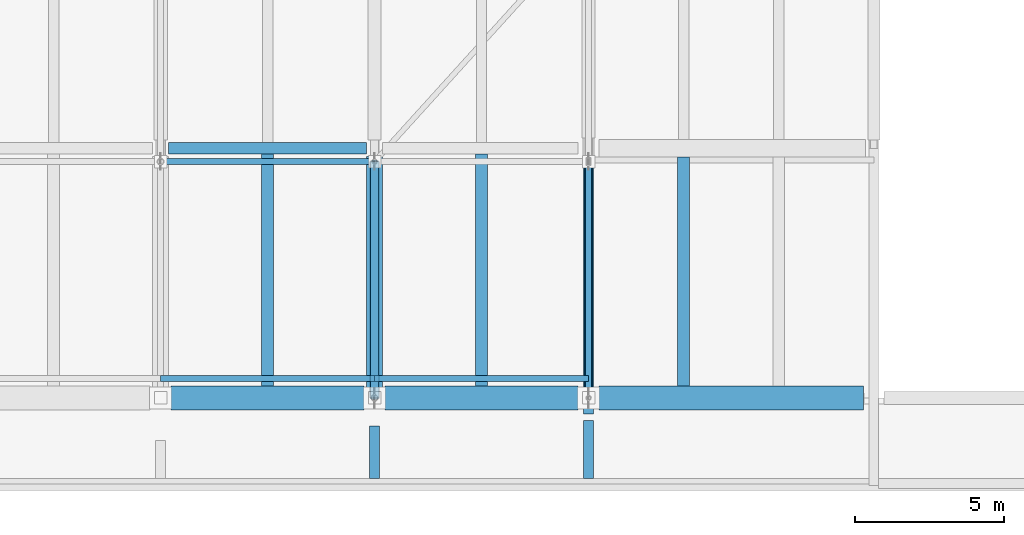
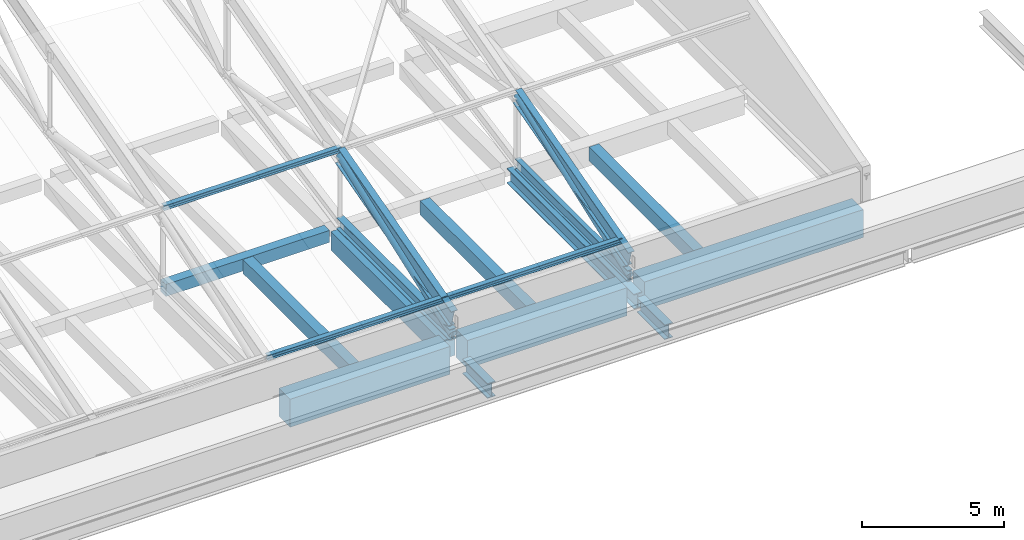
# One storey, part 9 of 53: 15 beams, 5 members.
"""IFC4 building model written with IfcOpenShell, lengths in metres."""

from ifc_helpers import new_model, si_unit, direction, frame, origin, origin_2d, place, context, subcontext, project, spatial, rectangle, hollow_circle, i_section, extrude, material, material_profile, profile_set, type_object, element, save


model = new_model("IFC4")

# Units and contexts
model_context = context("Model", 3, precision=1e-05, world=origin(), true_north=direction((0.0, 1.0)))
body_context = subcontext(model_context, "Body", "Model", "MODEL_VIEW")
ifc_project = project(units=[si_unit("LENGTHUNIT", "METRE"), si_unit("AREAUNIT", "SQUARE_METRE"), si_unit("VOLUMEUNIT", "CUBIC_METRE"), si_unit("PLANEANGLEUNIT", "RADIAN"), si_unit("MASSUNIT", "GRAM", prefix="KILO")], contexts=[model_context])

# Site, building, storey
site_placement = place(None, origin())
site = spatial("IfcSite", under=ifc_project, at=site_placement, CompositionType="ELEMENT")
building_placement = place(site_placement, origin())
building = spatial("IfcBuilding", under=site, at=building_placement, Name="Pellamere Symphony Hall", CompositionType="ELEMENT")
storey_placement = place(building_placement, frame((0.0, 0.0, 24.0)))
storey = spatial("IfcBuildingStorey", under=building, at=storey_placement, Name="L05", CompositionType="ELEMENT", Elevation=24.0)

# Beams
ifc_material_1 = material(Name="Concrete 50 MPa", Category="concrete")
ifc_material_profile_1 = material_profile(ifc_material_1, rectangle(XDim=0.800048828125, YDim=1.199951171875, at=origin_2d()), Name="RC 800x1200")
ifc_profile_set_1 = profile_set([ifc_material_profile_1], Name="Concrete 50 MPa")
beam_type_1 = type_object("IfcBeamType", Name="RC CB-01 800x1200", PredefinedType="BEAM", material=ifc_profile_set_1)
for number, where, z_axis, x_axis, name in (
    (1, (95.14990234375, 30.0, -0.60009765625), (1.0, 0.0, 0.0), (0.0, 1.0, 0.0), "Girder CB-01-X2001 (L05)"),
    (2, (102.35009765625, 30.0, -0.60009765625), (1.0, 0.0, 0.0), (0.0, 1.0, 0.0), "Girder CB-01-X2002 (L05)"),
):
    element("IfcBeam", number, at=place(storey_placement, frame(where, z_axis=z_axis, x_axis=x_axis)), inside=storey, type_object=beam_type_1, Name=name, PredefinedType="BEAM", context=body_context, shape_type="SweptSolid", body=[
        extrude(rectangle(XDim=0.800048828125, YDim=1.199951171875, at=origin_2d()), origin(), (0.0, 0.0, 1.0), 6.5),
    ])
beam_1_placement = place(storey_placement, frame((109.550048828125, 30.0, -0.60009765625), z_axis=(1.0, 0.0, 0.0), x_axis=(0.0, 1.0, 0.0)))
element("IfcBeam", 3, at=beam_1_placement, inside=storey, type_object=beam_type_1, Name="Girder CB-01-X2003 (L05)", PredefinedType="BEAM", context=body_context, shape_type="SweptSolid", body=[
    extrude(rectangle(XDim=0.800048828125, YDim=1.199951171875, at=origin_2d()), origin(), (0.0, 0.0, 1.0), 8.89990234375),
])
ifc_material_2 = material(Name="Concrete 40 MPa", Category="concrete")
ifc_material_profile_2 = material_profile(ifc_material_2, rectangle(XDim=0.550048828125, YDim=0.800048828125, at=origin_2d()), Name="RC 550x800")
ifc_profile_set_2 = profile_set([ifc_material_profile_2], Name="Concrete 40 MPa")
beam_type_2 = type_object("IfcBeamType", Name="RC CB-05 550x800", PredefinedType="BEAM", material=ifc_profile_set_2)
beam_2_placement = place(storey_placement, frame((102.0, 30.35009765625, -0.659912109375), z_axis=(0.0, 1.0, 0.0), x_axis=(-1.0, 0.0, 0.0)))
element("IfcBeam", 4, at=beam_2_placement, inside=storey, type_object=beam_type_2, Name="Girder CB-05-Y2096 (L05)", PredefinedType="BEAM", context=body_context, shape_type="SweptSolid", body=[
    extrude(rectangle(XDim=0.550048828125, YDim=0.800048828125, at=origin_2d()), origin(), (0.0, 0.0, 1.0), 7.77490234375),
])
ifc_material_profile_3 = material_profile(ifc_material_2, rectangle(XDim=0.39990234375, YDim=0.60009765625, at=origin_2d()), Name="RC 400x600")
ifc_profile_set_3 = profile_set([ifc_material_profile_3], Name="Concrete 40 MPa")
beam_type_3 = type_object("IfcBeamType", Name="RC CB-09 400x600", PredefinedType="BEAM", material=ifc_profile_set_3)
for number, where, z_axis, x_axis, name in (
    (5, (98.39990234375, 30.39990234375, -0.574951171875), (0.0, 1.0, 0.0), (-1.0, 0.0, 0.0), "Secondary Floor Beam CB-09-M1204 (L05)"),
    (6, (105.60009765625, 30.39990234375, -0.574951171875), (0.0, 1.0, 0.0), (-1.0, 0.0, 0.0), "Secondary Floor Beam CB-09-M1304 (L05)"),
):
    element("IfcBeam", number, at=place(storey_placement, frame(where, z_axis=z_axis, x_axis=x_axis)), inside=storey, type_object=beam_type_3, Name=name, PredefinedType="BEAM", context=body_context, shape_type="SweptSolid", body=[
        extrude(rectangle(XDim=0.39990234375, YDim=0.60009765625, at=origin_2d()), origin(), (0.0, 0.0, 1.0), 7.81005859375),
    ])
beam_3_placement = place(storey_placement, frame((112.39990234375, 30.39990234375, -0.574951171875), z_axis=(0.0, 1.0, 0.0), x_axis=(-1.0, 0.0, 0.0)))
element("IfcBeam", 7, at=beam_3_placement, inside=storey, type_object=beam_type_3, Name="Secondary Floor Beam CB-09-A1404 (L05)", PredefinedType="BEAM", context=body_context, shape_type="SweptSolid", body=[
    extrude(rectangle(XDim=0.39990234375, YDim=0.60009765625, at=origin_2d()), origin(), (0.0, 0.0, 1.0), 7.7001953125),
])
ifc_material_profile_4 = material_profile(ifc_material_2, rectangle(XDim=0.3798828125, YDim=0.52001953125, at=origin_2d()), Name="RC 380x520")
ifc_profile_set_4 = profile_set([ifc_material_profile_4], Name="Concrete 40 MPa")
beam_type_4 = type_object("IfcBeamType", Name="RC CB-21 380x520", PredefinedType="BEAM", material=ifc_profile_set_4)
beam_4_placement = place(storey_placement, frame((95.074951171875, 38.39990234375, -0.52001953125), z_axis=(1.0, 0.0, 0.0), x_axis=(0.0, 1.0, 0.0)))
element("IfcBeam", 8, at=beam_4_placement, inside=storey, type_object=beam_type_4, Name="Girder CB-21-X2016 (L05)", PredefinedType="BEAM", context=body_context, shape_type="SweptSolid", body=[
    extrude(rectangle(XDim=0.3798828125, YDim=0.52001953125, at=origin_2d()), origin(), (0.0, 0.0, 1.0), 6.650146484375),
])
ifc_material_3 = material(Name="Steel CSA G40.21 350W", Category="steel")
ifc_material_profile_5 = material_profile(ifc_material_3, i_section(OverallWidth=0.26806640625, OverallDepth=0.77001953125, WebThickness=0.015625, FlangeThickness=0.025390625, at=origin_2d()), Name="W760X196")
ifc_profile_set_5 = profile_set([ifc_material_profile_5], Name="Steel CSA G40.21 350W")
beam_type_5 = type_object("IfcBeamType", Name="Steel Beam SB-06 W760X196", PredefinedType="BEAM", material=ifc_profile_set_5)
beam_5_placement = place(storey_placement, frame((102.0, 30.0, 0.85009765625), z_axis=(0.0, 0.964090435702, 0.265574154969), x_axis=(-1.0, 0.0, 0.0)))
element("IfcBeam", 9, at=beam_5_placement, inside=storey, type_object=beam_type_5, Name="Roof Truss TR-07 Top Chord 1", PredefinedType="BEAM", context=body_context, shape_type="SweptSolid", body=[
    extrude(i_section(OverallWidth=0.26806640625, OverallDepth=0.77001953125, WebThickness=0.015625, FlangeThickness=0.025390625, at=origin_2d()), origin(), (0.0, 0.0, 1.0), 8.24609375),
])
ifc_material_profile_6 = material_profile(ifc_material_3, i_section(OverallWidth=0.25390625, OverallDepth=0.68798828125, WebThickness=0.01318359375, FlangeThickness=0.02099609375, at=origin_2d()), Name="W690X152")
ifc_profile_set_6 = profile_set([ifc_material_profile_6], Name="Steel CSA G40.21 350W")
beam_type_6 = type_object("IfcBeamType", Name="Steel Beam SB-08 W690X152", PredefinedType="BEAM", material=ifc_profile_set_6)
beam_6_placement = place(storey_placement, frame((109.199951171875, 30.0, 0.89111328125), z_axis=(0.0, 0.964090435702, 0.265574154969), x_axis=(-1.0, 0.0, 0.0)))
element("IfcBeam", 10, at=beam_6_placement, inside=storey, type_object=beam_type_6, Name="Roof Truss TR-08 Top Chord 1", PredefinedType="BEAM", context=body_context, shape_type="SweptSolid", body=[
    extrude(i_section(OverallWidth=0.25390625, OverallDepth=0.68798828125, WebThickness=0.01318359375, FlangeThickness=0.02099609375, at=origin_2d()), origin(), (0.0, 0.0, 1.0), 8.24609375),
])
ifc_material_profile_7 = material_profile(ifc_material_3, i_section(OverallWidth=0.3291015625, OverallDepth=0.635009765625, WebThickness=0.017822265625, FlangeThickness=0.031005859375, at=origin_2d()), Name="W610X241")
ifc_profile_set_7 = profile_set([ifc_material_profile_7], Name="Steel CSA G40.21 350W")
beam_type_7 = type_object("IfcBeamType", Name="Steel Beam SB-09 W610X241", PredefinedType="BEAM", material=ifc_profile_set_7)
beam_7_placement = place(storey_placement, frame((109.199951171875, 29.455078125, -0.5849609375), z_axis=(0.0, 1.0, 0.0), x_axis=(-1.0, 0.0, 0.0)))
element("IfcBeam", 11, at=beam_7_placement, inside=storey, type_object=beam_type_7, Name="Winter-Garden Roof Cantilever Girder 03", PredefinedType="BEAM", context=body_context, shape_type="SweptSolid", body=[
    extrude(i_section(OverallWidth=0.3291015625, OverallDepth=0.635009765625, WebThickness=0.017822265625, FlangeThickness=0.031005859375, at=origin_2d()), origin(), (0.0, 0.0, 1.0), 8.94482421875),
])
beam_8_placement = place(storey_placement, frame((102.0, 27.284912109375, -0.5849609375), z_axis=(0.0, 1.0, 0.0), x_axis=(-1.0, 0.0, 0.0)))
element("IfcBeam", 12, at=beam_8_placement, inside=storey, type_object=beam_type_7, Name="Winter-Garden Canopy Outrigger 07", PredefinedType="BEAM", context=body_context, shape_type="SweptSolid", body=[
    extrude(i_section(OverallWidth=0.3291015625, OverallDepth=0.635009765625, WebThickness=0.017822265625, FlangeThickness=0.031005859375, at=origin_2d()), origin(), (0.0, 0.0, 1.0), 1.766845703125),
])
beam_9_placement = place(storey_placement, frame((109.199951171875, 27.284912109375, -0.5849609375), z_axis=(0.0, 1.0, 0.0), x_axis=(-1.0, 0.0, 0.0)))
element("IfcBeam", 13, at=beam_9_placement, inside=storey, type_object=beam_type_7, Name="Winter-Garden Canopy Outrigger 08", PredefinedType="BEAM", context=body_context, shape_type="SweptSolid", body=[
    extrude(i_section(OverallWidth=0.3291015625, OverallDepth=0.635009765625, WebThickness=0.017822265625, FlangeThickness=0.031005859375, at=origin_2d()), origin(), (0.0, 0.0, 1.0), 1.960205078125),
])
ifc_material_profile_8 = material_profile(ifc_material_3, i_section(OverallWidth=0.282958984375, OverallDepth=0.471923828125, WebThickness=0.013671875, FlangeThickness=0.022216796875, at=origin_2d()), Name="W460X144")
ifc_profile_set_8 = profile_set([ifc_material_profile_8], Name="Steel CSA G40.21 350W")
beam_type_8 = type_object("IfcBeamType", Name="Steel Beam SB-15 W460X144", PredefinedType="BEAM", material=ifc_profile_set_8)
beam_10_placement = place(storey_placement, frame((102.0, 30.0, 0.159912109375), z_axis=(0.0, 1.0, 0.0), x_axis=(-1.0, 0.0, 0.0)))
element("IfcBeam", 14, at=beam_10_placement, inside=storey, type_object=beam_type_8, Name="Roof Truss TR-07 Bottom Chord 1", PredefinedType="BEAM", context=body_context, shape_type="SweptSolid", body=[
    extrude(i_section(OverallWidth=0.282958984375, OverallDepth=0.471923828125, WebThickness=0.013671875, FlangeThickness=0.022216796875, at=origin_2d()), origin(), (0.0, 0.0, 1.0), 7.949951171875),
])
ifc_material_profile_9 = material_profile(ifc_material_3, i_section(OverallWidth=0.194091796875, OverallDepth=0.468994140625, WebThickness=0.011474609375, FlangeThickness=0.019287109375, at=origin_2d()), Name="W460X106")
ifc_profile_set_9 = profile_set([ifc_material_profile_9], Name="Steel CSA G40.21 350W")
beam_type_9 = type_object("IfcBeamType", Name="Steel Beam SB-16 W460X106", PredefinedType="BEAM", material=ifc_profile_set_9)
beam_11_placement = place(storey_placement, frame((109.199951171875, 30.0, 0.159912109375), z_axis=(0.0, 1.0, 0.0), x_axis=(-1.0, 0.0, 0.0)))
element("IfcBeam", 15, at=beam_11_placement, inside=storey, type_object=beam_type_9, Name="Roof Truss TR-08 Bottom Chord 1", PredefinedType="BEAM", context=body_context, shape_type="SweptSolid", body=[
    extrude(i_section(OverallWidth=0.194091796875, OverallDepth=0.468994140625, WebThickness=0.011474609375, FlangeThickness=0.019287109375, at=origin_2d()), origin(), (0.0, 0.0, 1.0), 7.949951171875),
])

# Members
ifc_material_profile_10 = material_profile(ifc_material_3, hollow_circle(Radius=0.161865234375, WallThickness=0.010986328125, at=origin_2d()), Name="HSS324X11")
ifc_profile_set_10 = profile_set([ifc_material_profile_10], Name="Steel CSA G40.21 350W")
member_type_1 = type_object("IfcMemberType", Name="Steel Member SM-11 HSS324X11", PredefinedType="BRACE", material=ifc_profile_set_10)
member_1_placement = place(storey_placement, frame((102.0, 30.0, 0.159912109375), z_axis=(0.0, 0.940201613824, 0.340618445422), x_axis=(-1.0, 0.0, 0.0)))
element("IfcMember", 16, at=member_1_placement, inside=storey, type_object=member_type_1, Name="Roof Truss TR-07 Web Diagonal 1", PredefinedType="BRACE", context=body_context, shape_type="SweptSolid", body=[
    extrude(hollow_circle(Radius=0.161865234375, WallThickness=0.010986328125, at=origin_2d()), origin(), (0.0, 0.0, 1.0), 8.45556640625),
])
ifc_material_profile_11 = material_profile(ifc_material_3, hollow_circle(Radius=0.136474609375, WallThickness=0.009521484375, at=origin_2d()), Name="HSS273X10")
ifc_profile_set_11 = profile_set([ifc_material_profile_11], Name="Steel CSA G40.21 350W")
member_type_2 = type_object("IfcMemberType", Name="Steel Member SM-12 HSS273X10", PredefinedType="BRACE", material=ifc_profile_set_11)
member_2_placement = place(storey_placement, frame((109.199951171875, 30.0, 0.159912109375), z_axis=(0.0, 0.938641004916, 0.344895729012), x_axis=(-1.0, 0.0, 0.0)))
element("IfcMember", 17, at=member_2_placement, inside=storey, type_object=member_type_2, Name="Roof Truss TR-08 Web Diagonal 1", PredefinedType="BRACE", context=body_context, shape_type="SweptSolid", body=[
    extrude(hollow_circle(Radius=0.136474609375, WallThickness=0.009521484375, at=origin_2d()), origin(), (0.0, 0.0, 1.0), 8.4697265625),
])
ifc_material_profile_12 = material_profile(ifc_material_3, i_section(OverallWidth=0.2041015625, OverallDepth=0.2060546875, WebThickness=0.0078125, FlangeThickness=0.0126953125, at=origin_2d()), Name="W200X52")
ifc_profile_set_12 = profile_set([ifc_material_profile_12], Name="Steel CSA G40.21 350W")
member_type_3 = type_object("IfcMemberType", Name="Steel Member SM-15 W200X52", PredefinedType="PURLIN", material=ifc_profile_set_12)
for number, where, z_axis, x_axis, name in (
    (18, (94.800048828125, 30.64990234375, 1.31103515625), (1.0, 0.0, 0.0), (0.0, 1.0, 0.0), "Folded Roof Eave Purlin 6.0"),
    (19, (94.800048828125, 37.949951171875, 3.322021484375), (1.0, 0.0, 0.0), (0.0, 1.0, 0.0), "Folded Roof Purlin 6.1"),
    (20, (102.0, 30.64990234375, 1.31103515625), (1.0, 0.0, 0.0), (0.0, 1.0, 0.0), "Folded Roof Eave Purlin 7.0"),
):
    element("IfcMember", number, at=place(storey_placement, frame(where, z_axis=z_axis, x_axis=x_axis)), inside=storey, type_object=member_type_3, Name=name, PredefinedType="PURLIN", context=body_context, shape_type="SweptSolid", body=[
        extrude(i_section(OverallWidth=0.2041015625, OverallDepth=0.2060546875, WebThickness=0.0078125, FlangeThickness=0.0126953125, at=origin_2d()), origin(), (0.0, 0.0, 1.0), 7.199951171875),
    ])

save(model, "model.ifc")
